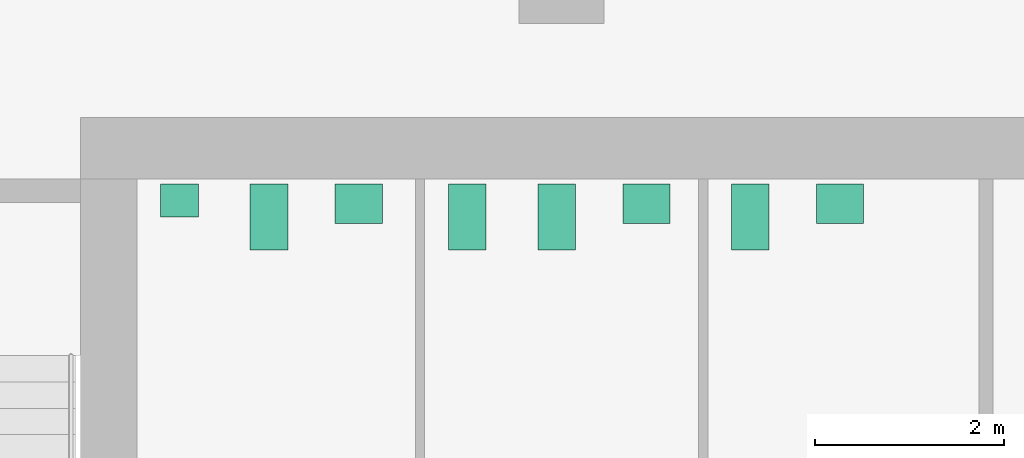
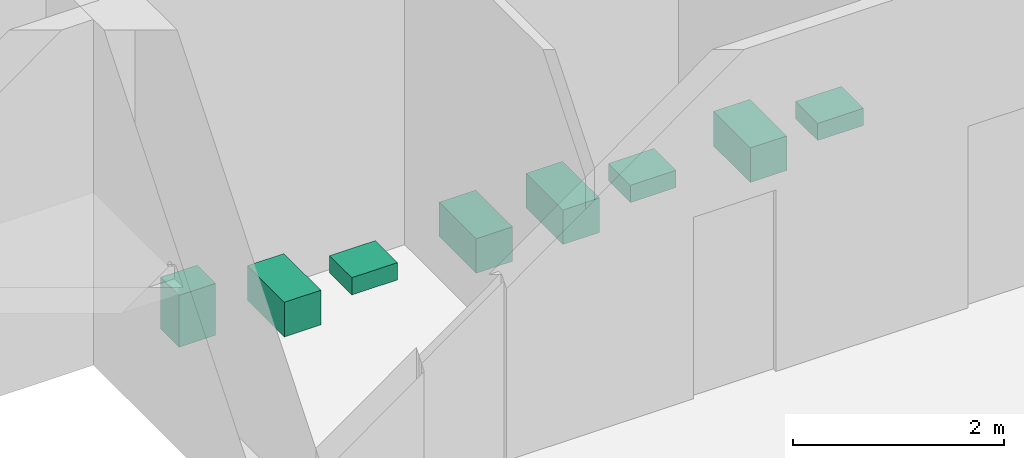
# One storey, part 8 of 8: 8 sanitary terminals.
"""IFC4 building model written with IfcOpenShell, lengths in metres."""

from ifc_helpers import new_model, si_unit, direction, frame, origin, origin_2d, place, context, subcontext, project, spatial, rectangle, extrude, material, type_object, element, save


model = new_model("IFC4")

# Units and contexts
model_context = context("Model", 3, precision=1e-05, world=origin(), true_north=direction((0.0, 1.0)))
body_context = subcontext(model_context, "Body", "Model", "MODEL_VIEW")
ifc_project = project(units=[si_unit("LENGTHUNIT", "METRE"), si_unit("AREAUNIT", "SQUARE_METRE"), si_unit("VOLUMEUNIT", "CUBIC_METRE"), si_unit("PLANEANGLEUNIT", "RADIAN"), si_unit("MASSUNIT", "GRAM", prefix="KILO")], contexts=[model_context])

# Site, building, storey
site_placement = place(None, origin())
site = spatial("IfcSite", under=ifc_project, at=site_placement, CompositionType="ELEMENT")
building_placement = place(site_placement, origin())
building = spatial("IfcBuilding", under=site, at=building_placement, Name="Cinnabar Reach Civic Tower", CompositionType="ELEMENT")
storey_placement = place(building_placement, frame((0.0, 0.0, 161.0)))
storey = spatial("IfcBuildingStorey", under=building, at=storey_placement, Name="L38", CompositionType="ELEMENT", Elevation=161.0)

# Sanitary terminals
ifc_material = material(Name="Vitreous china")
sanitary_terminal_type_1 = type_object("IfcSanitaryTerminalType", Name="T1 WC pan", PredefinedType="TOILETPAN", material=ifc_material)
for number, where, z_axis, x_axis, name in (
    (1, (5.9, 41.6, 0.0), (0.0, 0.0, 1.0), (1.0, 0.0, 0.0), "T1 WC pan 3808-2"),
    (2, (8.0, 41.6, 0.0), (0.0, 0.0, 1.0), (1.0, 0.0, 0.0), "T1 WC pan 3809-1"),
    (3, (8.95, 41.6, 0.0), (0.0, 0.0, 1.0), (1.0, 0.0, 0.0), "T1 WC pan 3809-2"),
    (4, (11.0, 41.6, 0.0), (0.0, 0.0, 1.0), (1.0, 0.0, 0.0), "T1 WC pan 3810-1"),
):
    element("IfcSanitaryTerminal", number, at=place(storey_placement, frame(where, z_axis=z_axis, x_axis=x_axis)), inside=storey, type_object=sanitary_terminal_type_1, Name=name, PredefinedType="TOILETPAN", context=body_context, shape_type="SweptSolid", body=[
        extrude(rectangle(XDim=0.4, YDim=0.7, at=origin_2d()), origin(), (0.0, 0.0, 1.0), 0.4),
    ])
sanitary_terminal_type_2 = type_object("IfcSanitaryTerminalType", Name="T1 urinal", PredefinedType="URINAL", material=ifc_material)
sanitary_terminal_placement = place(storey_placement, frame((4.95, 41.775, 0.0), z_axis=(0.0, 0.0, 1.0), x_axis=(1.0, 0.0, 0.0)))
element("IfcSanitaryTerminal", 5, at=sanitary_terminal_placement, inside=storey, type_object=sanitary_terminal_type_2, Name="T1 urinal 3808-1", PredefinedType="URINAL", context=body_context, shape_type="SweptSolid", body=[
    extrude(rectangle(XDim=0.4, YDim=0.35, at=origin_2d()), origin(), (0.0, 0.0, 1.0), 0.6),
])
sanitary_terminal_type_3 = type_object("IfcSanitaryTerminalType", Name="T1 wash basin", PredefinedType="WASHHANDBASIN", material=ifc_material)
for number, where, z_axis, x_axis, name in (
    (6, (6.85, 41.74, 0.0), (0.0, 0.0, 1.0), (1.0, 0.0, 0.0), "T1 wash basin 3808-3"),
    (7, (9.9, 41.74, 0.0), (0.0, 0.0, 1.0), (1.0, 0.0, 0.0), "T1 wash basin 3809-3"),
    (8, (11.95, 41.74, 0.0), (0.0, 0.0, 1.0), (1.0, 0.0, 0.0), "T1 wash basin 3810-2"),
):
    element("IfcSanitaryTerminal", number, at=place(storey_placement, frame(where, z_axis=z_axis, x_axis=x_axis)), inside=storey, type_object=sanitary_terminal_type_3, Name=name, PredefinedType="WASHHANDBASIN", context=body_context, shape_type="SweptSolid", body=[
        extrude(rectangle(XDim=0.5, YDim=0.42, at=origin_2d()), origin(), (0.0, 0.0, 1.0), 0.2),
    ])

save(model, "model.ifc")
